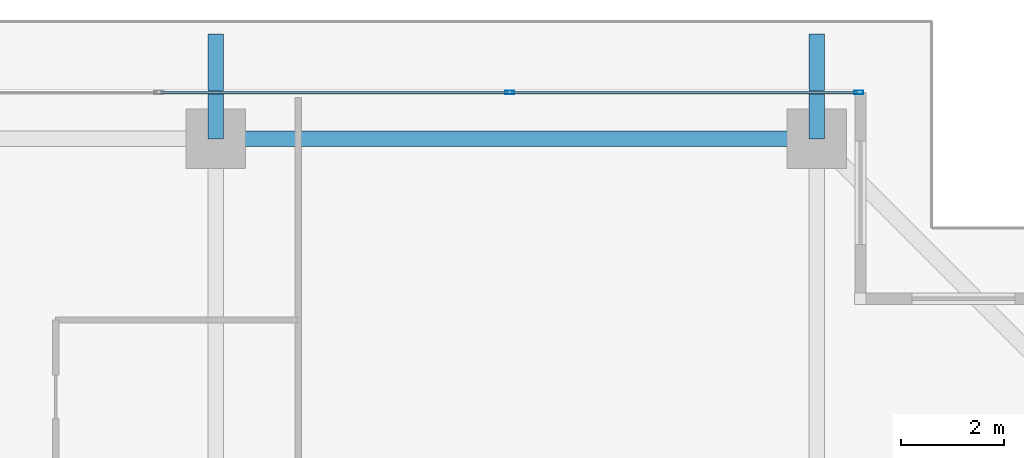
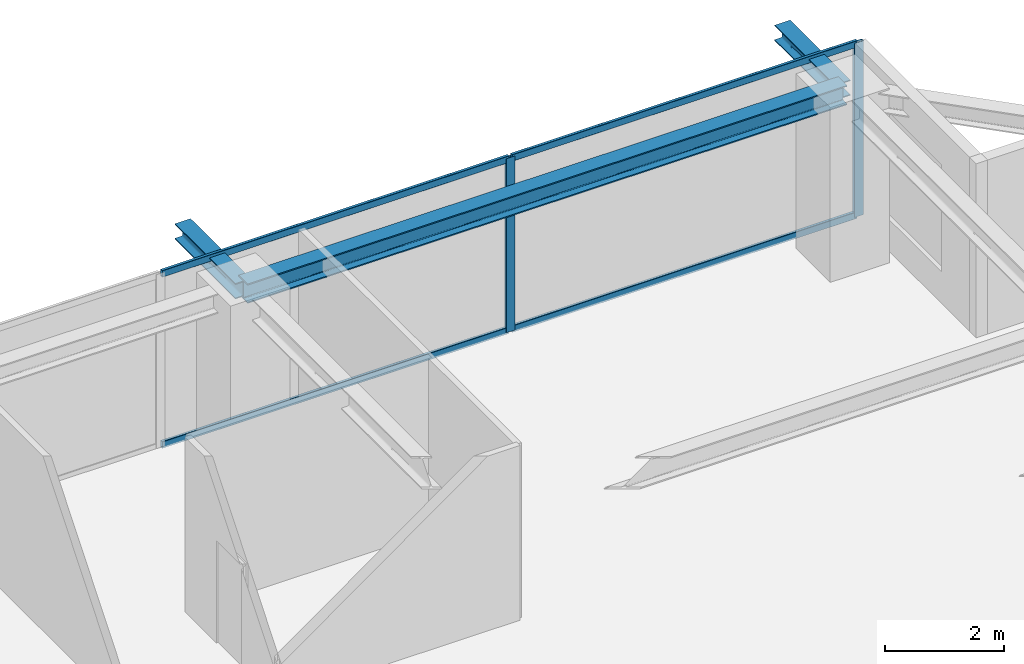
# One storey, part 23 of 36: 6 members, 3 beams, 1 element without a shape of its own.
"""IFC4 building model written with IfcOpenShell, lengths in metres."""

from ifc_helpers import new_model, si_unit, direction, frame, origin, origin_2d, place, context, subcontext, project, spatial, hollow_rectangle, i_section, extrude, source, transform, mapped, material, layer, layer_set, material_profile, profile_set, type_object, element, aggregate, save


model = new_model("IFC4")

# Units and contexts
model_context = context("Model", 3, precision=1e-05, world=origin(), true_north=direction((0.0, 1.0)))
body_context = subcontext(model_context, "Body", "Model", "MODEL_VIEW")
ifc_project = project(units=[si_unit("LENGTHUNIT", "METRE"), si_unit("AREAUNIT", "SQUARE_METRE"), si_unit("VOLUMEUNIT", "CUBIC_METRE"), si_unit("PLANEANGLEUNIT", "RADIAN"), si_unit("MASSUNIT", "GRAM", prefix="KILO")], contexts=[model_context])

# Site, building, storey
site_placement = place(None, origin())
site = spatial("IfcSite", under=ifc_project, at=site_placement, CompositionType="ELEMENT")
building_placement = place(site_placement, origin())
building = spatial("IfcBuilding", under=site, at=building_placement, Name="Serunith Strait Residences", CompositionType="ELEMENT")
storey_placement = place(building_placement, frame((0.0, 0.0, 225.85009765625)))
storey = spatial("IfcBuildingStorey", under=building, at=storey_placement, Name="L56", CompositionType="ELEMENT", Elevation=225.85009765625)

# Beams
ifc_material_1 = material(Name="Steel S355J2", Category="steel")
ifc_material_profile_1 = material_profile(ifc_material_1, i_section(OverallWidth=0.300048828125, OverallDepth=0.39990234375, WebThickness=0.013427734375, FlangeThickness=0.02392578125, FilletRadius=0.027099609375, at=origin_2d()), Name="HEB 400")
ifc_profile_set_1 = profile_set([ifc_material_profile_1], Name="Steel S355J2")
beam_type_1 = type_object("IfcBeamType", Name="BM-HEB400", PredefinedType="BEAM", material=ifc_profile_set_1)
shared_shape_1 = source(origin(), body_context, "Body", "SweptSolid", [
    extrude(i_section(OverallWidth=0.300048828125, OverallDepth=0.39990234375, WebThickness=0.013427734375, FlangeThickness=0.02392578125, FilletRadius=0.027099609375, at=origin_2d()), origin(), (0.0, 0.0, 1.0), 11.650146484375),
])
beam_placement = place(storey_placement, frame((48.550048828125, 48.300048828125, 3.386962890625), z_axis=(-1.0, 0.0, 0.0), x_axis=(0.0, -1.0, 0.0)))
element("IfcBeam", 1, at=beam_placement, inside=storey, type_object=beam_type_1, Name="L56 Perimeter Ring Beam 09", PredefinedType="BEAM", context=body_context, shape_type="MappedRepresentation", body=[
    mapped(shared_shape_1, transform((0.0, 0.0, 0.0), scale=1.0)),
])
ifc_material_profile_2 = material_profile(ifc_material_1, i_section(OverallWidth=0.300048828125, OverallDepth=0.320068359375, WebThickness=0.011474609375, FlangeThickness=0.0205078125, FilletRadius=0.027099609375, at=origin_2d()), Name="HEB 320")
ifc_profile_set_2 = profile_set([ifc_material_profile_2], Name="Steel S355J2")
beam_type_2 = type_object("IfcBeamType", Name="BM-HEB320", PredefinedType="BEAM", material=ifc_profile_set_2)
shared_shape_2 = source(origin(), body_context, "Body", "SweptSolid", [
    extrude(i_section(OverallWidth=0.300048828125, OverallDepth=0.320068359375, WebThickness=0.011474609375, FlangeThickness=0.0205078125, FilletRadius=0.027099609375, at=origin_2d()), origin(), (0.0, 0.0, 1.0), 2.030029296875),
])
for number, where, z_axis, x_axis, name in (
    (2, (36.89990234375, 48.300048828125, 3.39697265625), (0.0, 1.0, 0.0), (-1.0, 0.0, 0.0), "L57 Cantilevered Balcony Rib TC-N3"),
    (3, (48.550048828125, 48.300048828125, 3.39697265625), (0.0, 1.0, 0.0), (-1.0, 0.0, 0.0), "L57 Cantilevered Balcony Rib TC-N4"),
):
    element("IfcBeam", number, at=place(storey_placement, frame(where, z_axis=z_axis, x_axis=x_axis)), inside=storey, type_object=beam_type_2, Name=name, PredefinedType="BEAM", context=body_context, shape_type="MappedRepresentation", body=[
        mapped(shared_shape_2, transform((0.0, 0.0, 0.0), scale=1.0)),
    ])

# Curtain wall, members
ifc_material_2 = material(Name="Pale-Champagne Anodised Aluminium", Category="aluminium")
ifc_layer = layer(ifc_material_2, 0.199951171875, Name="Pale-Champagne Anodised Aluminium")
ifc_layer_set = layer_set([ifc_layer], Name="Pale-Champagne Anodised Aluminium")
curtain_wall_type = type_object("IfcCurtainWallType", Name="CW-SYS4", PredefinedType="NOTDEFINED", material=ifc_layer_set)
curtain_wall_placement = place(storey_placement, origin())
curtain_wall = element("IfcCurtainWall", 4, at=curtain_wall_placement, inside=storey, type_object=curtain_wall_type, Name="L56 N Unitised Fritted Curtain Wall", PredefinedType="NOTDEFINED")
ifc_material_profile_3 = material_profile(ifc_material_2, hollow_rectangle(XDim=0.06494140625, YDim=0.179931640625, WallThickness=0.00341796875, InnerFilletRadius=0.00537109375, OuterFilletRadius=0.0087890625, at=origin_2d()), Name="ALU 180x65x3.5")
ifc_profile_set_3 = profile_set([ifc_material_profile_3], Name="Pale-Champagne Anodised Aluminium")
member_type_1 = type_object("IfcMemberType", Name="CW-SYS4-MULL", PredefinedType="MULLION", material=ifc_profile_set_3)
shared_shape_3 = source(origin(), body_context, "Body", "SweptSolid", [
    extrude(hollow_rectangle(XDim=0.06494140625, YDim=0.179931640625, WallThickness=0.00341796875, InnerFilletRadius=0.00537109375, OuterFilletRadius=0.0087890625, at=origin_2d()), origin(), (0.0, 0.0, 1.0), 3.574951171875),
])
member_1_placement = place(storey_placement, frame((49.367431640625, 49.199951171875, 0.0), z_axis=(0.0, 0.0, 1.0), x_axis=(0.0, -1.0, 0.0)))
member_1 = element("IfcMember", 5, at=member_1_placement, type_object=member_type_1, Name="CW-4 mullion 1", PredefinedType="MULLION", context=body_context, shape_type="MappedRepresentation", body=[
    mapped(shared_shape_3, transform((0.0, 0.0, 0.0), scale=1.0)),
])
member_2_placement = place(storey_placement, frame((42.60009765625, 49.199951171875, 0.0), z_axis=(0.0, 0.0, 1.0), x_axis=(0.0, -1.0, 0.0)))
member_2 = element("IfcMember", 6, at=member_2_placement, type_object=member_type_1, Name="CW-4 mullion 2", PredefinedType="MULLION", context=body_context, shape_type="MappedRepresentation", body=[
    mapped(shared_shape_3, transform((0.0, 0.0, 0.0), scale=1.0)),
])
ifc_material_profile_4 = material_profile(ifc_material_2, hollow_rectangle(XDim=0.06005859375, YDim=0.139892578125, WallThickness=0.00341796875, InnerFilletRadius=0.00537109375, OuterFilletRadius=0.0087890625, at=origin_2d()), Name="ALU 140x60x3.5")
ifc_profile_set_4 = profile_set([ifc_material_profile_4], Name="Pale-Champagne Anodised Aluminium")
member_type_2 = type_object("IfcMemberType", Name="CW-SYS4-TRAN", PredefinedType="USERDEFINED", material=ifc_profile_set_4)
shared_shape_4 = source(origin(), body_context, "Body", "SweptSolid", [
    extrude(hollow_rectangle(XDim=0.06005859375, YDim=0.139892578125, WallThickness=0.00341796875, InnerFilletRadius=0.00537109375, OuterFilletRadius=0.0087890625, at=origin_2d()), origin(), (0.0, 0.0, 1.0), 6.702392578125),
])
member_3_placement = place(storey_placement, frame((49.3349609375, 49.199951171875, 0.02978515625), z_axis=(-1.0, 0.0, 0.0), x_axis=(0.0, -1.0, 0.0)))
member_3 = element("IfcMember", 7, at=member_3_placement, type_object=member_type_2, Name="CW-4 transom 1.1", ObjectType="TRANSOM", PredefinedType="USERDEFINED", context=body_context, shape_type="MappedRepresentation", body=[
    mapped(shared_shape_4, transform((0.0, 0.0, 0.0), scale=1.0)),
])
member_4_placement = place(storey_placement, frame((49.3349609375, 49.199951171875, 3.544921875), z_axis=(-1.0, 0.0, 0.0), x_axis=(0.0, -1.0, 0.0)))
member_4 = element("IfcMember", 8, at=member_4_placement, type_object=member_type_2, Name="CW-4 transom 1.2", ObjectType="TRANSOM", PredefinedType="USERDEFINED", context=body_context, shape_type="MappedRepresentation", body=[
    mapped(shared_shape_4, transform((0.0, 0.0, 0.0), scale=1.0)),
])
shared_shape_5 = source(origin(), body_context, "Body", "SweptSolid", [
    extrude(hollow_rectangle(XDim=0.06005859375, YDim=0.139892578125, WallThickness=0.00341796875, InnerFilletRadius=0.00537109375, OuterFilletRadius=0.0087890625, at=origin_2d()), origin(), (0.0, 0.0, 1.0), 6.73486328125),
])
member_5_placement = place(storey_placement, frame((42.5673828125, 49.199951171875, 0.02978515625), z_axis=(-1.0, 0.0, 0.0), x_axis=(0.0, -1.0, 0.0)))
member_5 = element("IfcMember", 9, at=member_5_placement, type_object=member_type_2, Name="CW-4 transom 2.1", ObjectType="TRANSOM", PredefinedType="USERDEFINED", context=body_context, shape_type="MappedRepresentation", body=[
    mapped(shared_shape_5, transform((0.0, 0.0, 0.0), scale=1.0)),
])
member_6_placement = place(storey_placement, frame((42.5673828125, 49.199951171875, 3.544921875), z_axis=(-1.0, 0.0, 0.0), x_axis=(0.0, -1.0, 0.0)))
member_6 = element("IfcMember", 10, at=member_6_placement, type_object=member_type_2, Name="CW-4 transom 2.2", ObjectType="TRANSOM", PredefinedType="USERDEFINED", context=body_context, shape_type="MappedRepresentation", body=[
    mapped(shared_shape_5, transform((0.0, 0.0, 0.0), scale=1.0)),
])
aggregate(curtain_wall, [member_1, member_2, member_3, member_4, member_5, member_6])

save(model, "model.ifc")
